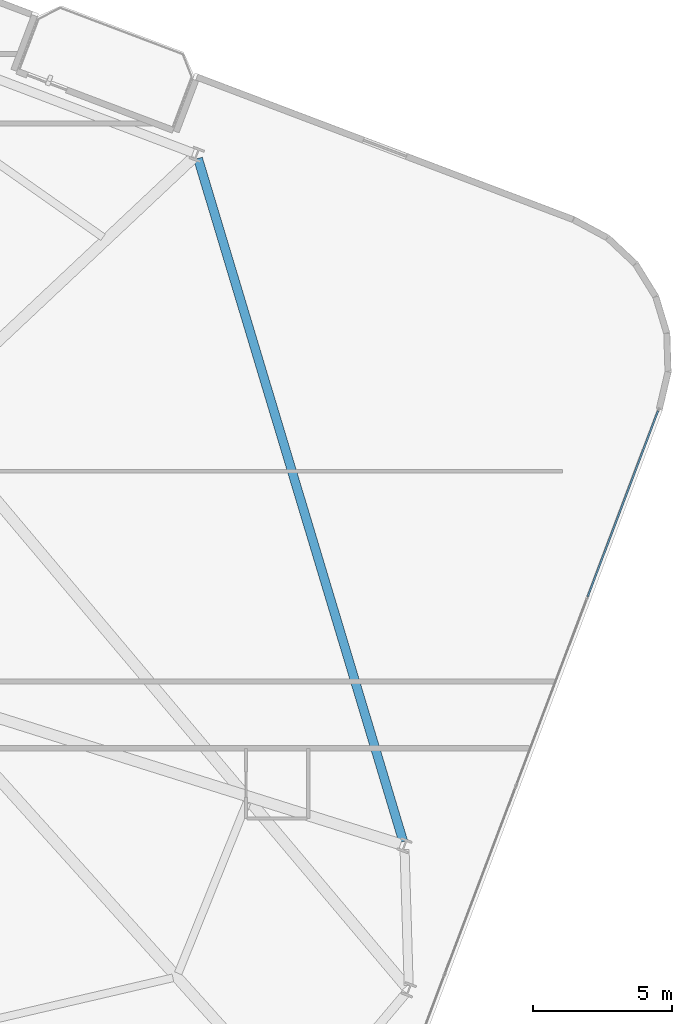
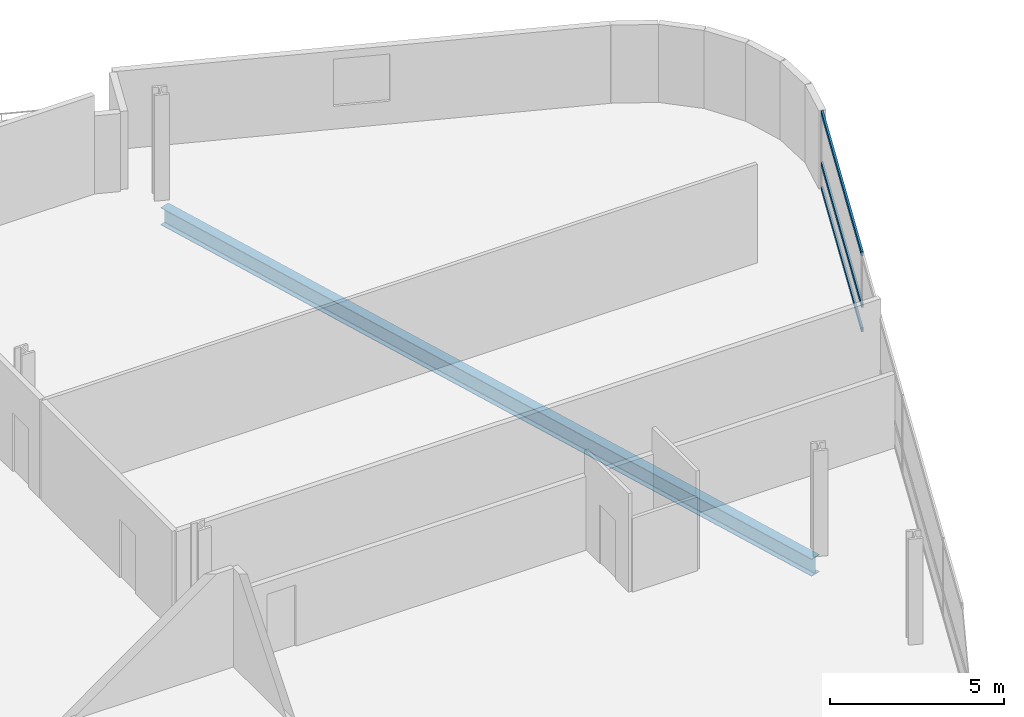
# One storey, part 14 of 24: 3 members, 1 beam, 1 element without a shape of its own.
"""IFC4 building model written with IfcOpenShell, lengths in metres."""

import ifcopenshell
import ifcopenshell.guid

model = None  # the IFC model being written
_history = None  # IfcOwnerHistory: only IFC2X3 demands one
_inside = {}  # id of a spatial element -> (the spatial element, [elements in it])
_under = {}  # id of a project, library or spatial element -> (it, [spatial elements below it])
_declared = {}  # id of a project -> (the project, [libraries it declares])
_typed = {}  # id of a type object -> (the type object, [elements of that type])
_made_of = {}  # id of a material, layer set ... -> (it, [elements and type objects made of it])


def new_model(schema):
    """Start an empty IFC model of exactly this schema.

    Asked for "IFC4X3", IfcOpenShell would pick the latest addendum, in which some entities
    have other attributes; the version numbers below select the first issue.
    IFC2X3 requires an IfcOwnerHistory on every rooted entity: one is made here for all.
    """
    global model, _history
    if schema == "IFC4X3":
        model = ifcopenshell.file(schema_version=(4, 3, 0, 0))
    else:
        model = ifcopenshell.file(schema=schema)
    _inside.clear()
    _under.clear()
    _declared.clear()
    _typed.clear()
    _made_of.clear()
    _history = None
    if model.schema == "IFC2X3":
        org = make("IfcOrganization", Name="unknown")
        user = make(
            "IfcPersonAndOrganization",
            ThePerson=make("IfcPerson", FamilyName="unknown"),
            TheOrganization=org,
        )
        app = make(
            "IfcApplication",
            ApplicationDeveloper=org,
            Version="unknown",
            ApplicationFullName="unknown",
            ApplicationIdentifier="unknown",
        )
        _history = make(
            "IfcOwnerHistory",
            OwningUser=user,
            OwningApplication=app,
            ChangeAction="ADDED",
            CreationDate=0,
        )
    return model


def make(cls, **values):
    """One entity of the class cls with the attributes given. An attribute that is None is left unset."""
    return model.create_entity(
        cls, **{name: value for name, value in values.items() if value is not None}
    )


def rooted(cls, **values):
    """An entity with a GlobalId (a new one), such as an element, a storey or a relation."""
    return make(cls, GlobalId=ifcopenshell.guid.new(), OwnerHistory=_history, **values)


def si_unit(unit_type, name, prefix=None):
    """IfcSIUnit, for example si_unit("LENGTHUNIT", "METRE", prefix="MILLI")."""
    return make("IfcSIUnit", UnitType=unit_type, Prefix=prefix, Name=name)


def assignment(units):
    """IfcUnitAssignment: the units of a project."""
    return None if units is None else make("IfcUnitAssignment", Units=units)


def point(xyz):
    """IfcCartesianPoint."""
    return None if xyz is None else make("IfcCartesianPoint", Coordinates=xyz)


def direction(xyz):
    """IfcDirection."""
    return None if xyz is None else make("IfcDirection", DirectionRatios=xyz)


def frame(location, z_axis=None, x_axis=None):
    """IfcAxis2Placement3D, a coordinate frame: its origin and axes. An axis left out is left unset."""
    return make(
        "IfcAxis2Placement3D",
        Location=point(location),
        Axis=direction(z_axis),
        RefDirection=direction(x_axis),
    )


def frame_2d(location, x_axis=None):
    """IfcAxis2Placement2D, a coordinate frame in the plane: its origin and x axis."""
    return make(
        "IfcAxis2Placement2D", Location=point(location), RefDirection=direction(x_axis)
    )


def origin():
    """The frame at (0, 0, 0) with its axes left unset."""
    return frame((0.0, 0.0, 0.0))


def origin_2d():
    """The frame at (0, 0) in the plane with its x axis left unset."""
    return frame_2d((0.0, 0.0))


def place(relative_to, where):
    """IfcLocalPlacement: puts the frame where relative to a parent placement (None: the world)."""
    return make(
        "IfcLocalPlacement", PlacementRelTo=relative_to, RelativePlacement=where
    )


def context(
    kind, dimensions, precision=None, world=None, true_north=None, identifier=None
):
    """IfcGeometricRepresentationContext, for example the 3D "Model" context."""
    return make(
        "IfcGeometricRepresentationContext",
        ContextIdentifier=identifier,
        ContextType=kind,
        CoordinateSpaceDimension=dimensions,
        Precision=precision,
        WorldCoordinateSystem=world,
        TrueNorth=true_north,
    )


def subcontext(parent, identifier, kind, view, scale=None):
    """IfcGeometricRepresentationSubContext, for example "Body" below "Model"."""
    return make(
        "IfcGeometricRepresentationSubContext",
        ContextIdentifier=identifier,
        ContextType=kind,
        ParentContext=parent,
        TargetScale=scale,
        TargetView=view,
    )


def project(units=None, contexts=None):
    """IfcProject with its units and contexts."""
    return rooted(
        "IfcProject",
        Name="project",
        RepresentationContexts=contexts,
        UnitsInContext=assignment(units),
    )


def spatial(cls, under=None, at=None, **own):
    """A site, building, storey or space (cls), placed at a placement, below another one or the project."""
    s = rooted(cls, ObjectPlacement=at, **own)
    if under is not None:
        _under.setdefault(under.id(), (under, []))[1].append(s)
    return s


def profile(cls, at=None, kind="AREA", **sizes):
    """A parametric profile (cls). Its sizes go by their IFC names, for example OverallWidth=200.0."""
    return make(cls, ProfileType=kind, Position=at, **sizes)


def hollow_rectangle(**sizes):
    """IfcRectangleHollowProfileDef."""
    return profile("IfcRectangleHollowProfileDef", **sizes)


def i_section(**sizes):
    """IfcIShapeProfileDef."""
    return profile("IfcIShapeProfileDef", **sizes)


def extrude(swept, where, along, depth):
    """IfcExtrudedAreaSolid: the profile swept, set in the frame where, extruded along a direction by depth."""
    return make(
        "IfcExtrudedAreaSolid",
        SweptArea=swept,
        Position=where,
        ExtrudedDirection=direction(along),
        Depth=depth,
    )


def shape(context_of_items, identifier, shape_type, items):
    """IfcShapeRepresentation: the items that make up one representation, for example the "Body"."""
    return make(
        "IfcShapeRepresentation",
        ContextOfItems=context_of_items,
        RepresentationIdentifier=identifier,
        RepresentationType=shape_type,
        Items=items,
    )


def material(Name=None, Category=None):
    """IfcMaterial."""
    return make("IfcMaterial", Name=Name, Category=Category)


def layer(
    of_material, thickness, ventilated=None, Name=None, Category=None, Priority=None
):
    """IfcMaterialLayer: one layer of a wall or slab, of a material (None: an air gap)."""
    return make(
        "IfcMaterialLayer",
        Material=of_material,
        LayerThickness=thickness,
        IsVentilated=ventilated,
        Name=Name,
        Category=Category,
        Priority=Priority,
    )


def layer_set(layers, Name=None):
    """IfcMaterialLayerSet."""
    return make("IfcMaterialLayerSet", MaterialLayers=layers, LayerSetName=Name)


def material_profile(
    of_material, cross_section, Name=None, Category=None, Priority=None
):
    """IfcMaterialProfile: a cross section and its material."""
    return make(
        "IfcMaterialProfile",
        Name=Name,
        Material=of_material,
        Profile=cross_section,
        Priority=Priority,
        Category=Category,
    )


def profile_set(profiles, Name=None, composite=None):
    """IfcMaterialProfileSet."""
    return make(
        "IfcMaterialProfileSet",
        Name=Name,
        MaterialProfiles=profiles,
        CompositeProfile=composite,
    )


def made_of(thing, what):
    """Note that an element or type object is made of a material, layer set ...; save() writes the relation."""
    if what is not None:
        _made_of.setdefault(what.id(), (what, []))[1].append(thing)
    return thing


def type_object(cls, material=None, **own):
    """A type object (cls), such as IfcWallType, which elements share."""
    return made_of(rooted(cls, **own), material)


def element(
    cls,
    number,
    at=None,
    inside=None,
    cuts=None,
    type_object=None,
    material=None,
    context=None,
    identifier="Body",
    shape_type=None,
    held_by="IfcProductDefinitionShape",
    body=None,
    shapes=None,
    **own,
):
    """One element of the class cls, such as IfcWall. Its Tag is "e" and its number.

    at: its placement. inside: the storey or other place that contains it. cuts: it is an
    opening in that element (IfcRelVoidsElement). A single representation is given by context,
    identifier, shape_type and body (its items); several are given by shapes. held_by: the class
    of the entity that holds the representations. save() writes the other relations.
    """
    e = rooted(cls, Tag="e%d" % number, ObjectPlacement=at, **own)
    if body is not None:
        shapes = [shape(context, identifier, shape_type, body)]
    if shapes is not None:
        e.Representation = make(held_by, Representations=shapes)
    if inside is not None:
        _inside.setdefault(inside.id(), (inside, []))[1].append(e)
    if cuts is not None:
        rooted(
            "IfcRelVoidsElement", RelatingBuildingElement=cuts, RelatedOpeningElement=e
        )
    if type_object is not None:
        _typed.setdefault(type_object.id(), (type_object, []))[1].append(e)
    return made_of(e, material)


def aggregate(whole, parts):
    """IfcRelAggregates: a whole, such as a stair, and the parts it consists of."""
    return rooted("IfcRelAggregates", RelatingObject=whole, RelatedObjects=parts)


def save(model, path):
    """Write the relations noted so far, then the file.

    IfcRelAggregates (storeys below a building ...), IfcRelContainedInSpatialStructure (elements
    in a storey), IfcRelDefinesByType, IfcRelAssociatesMaterial and IfcRelDeclares: one each for
    every whole, place, type object, material and project.
    """
    for whole, parts in _under.values():
        aggregate(whole, parts)
    for where, things in _inside.values():
        rooted(
            "IfcRelContainedInSpatialStructure",
            RelatedElements=things,
            RelatingStructure=where,
        )
    for kind, things in _typed.values():
        rooted("IfcRelDefinesByType", RelatedObjects=things, RelatingType=kind)
    for what, things in _made_of.values():
        rooted("IfcRelAssociatesMaterial", RelatedObjects=things, RelatingMaterial=what)
    for by, libraries in _declared.values():
        rooted("IfcRelDeclares", RelatingContext=by, RelatedDefinitions=libraries)
    model.write(path)


model = new_model("IFC4")

# Units and contexts
model_context = context("Model", 3, precision=1e-05, world=origin(), true_north=direction((0.0, 1.0)))
body_context = subcontext(model_context, "Body", "Model", "MODEL_VIEW")
ifc_project = project(units=[si_unit("LENGTHUNIT", "METRE"), si_unit("AREAUNIT", "SQUARE_METRE"), si_unit("VOLUMEUNIT", "CUBIC_METRE"), si_unit("PLANEANGLEUNIT", "RADIAN"), si_unit("MASSUNIT", "GRAM", prefix="KILO")], contexts=[model_context])

# Site, building, storey
site_placement = place(None, origin())
site = spatial("IfcSite", under=ifc_project, at=site_placement, CompositionType="ELEMENT")
building_placement = place(site_placement, origin())
building = spatial("IfcBuilding", under=site, at=building_placement, Name="Varnelok Gate Tower", CompositionType="ELEMENT")
storey_placement = place(building_placement, frame((0.0, 0.0, 102.10009765625)))
storey = spatial("IfcBuildingStorey", under=building, at=storey_placement, Name="L25", CompositionType="ELEMENT", Elevation=102.10009765625)

# Beam
ifc_material_1 = material(Name="Structural Steel ASTM A992 Grade 50", Category="steel")
ifc_material_profile_1 = material_profile(ifc_material_1, i_section(OverallWidth=0.323974609375, OverallDepth=0.611083984375, WebThickness=0.0126953125, FlangeThickness=0.01904296875, FilletRadius=0.01806640625, at=origin_2d()), Name="W24X104")
ifc_profile_set_1 = profile_set([ifc_material_profile_1], Name="Structural Steel ASTM A992 Grade 50")
beam_type = type_object("IfcBeamType", Name="BM-SPN-W24X104", PredefinedType="SPANDREL", material=ifc_profile_set_1)
beam_placement = place(storey_placement, frame((71.27587890625, 13.497802734375, -0.5556640625), z_axis=(-0.287745549664, 0.957706896001, 0.0), x_axis=(-0.957706896001, -0.287745549664, 0.0)))
element("IfcBeam", 1, at=beam_placement, inside=storey, type_object=beam_type, Name="L25 Perimeter Spandrel Beam 8", PredefinedType="SPANDREL", context=body_context, shape_type="SweptSolid", body=[
    extrude(i_section(OverallWidth=0.323974609375, OverallDepth=0.611083984375, WebThickness=0.0126953125, FlangeThickness=0.01904296875, FilletRadius=0.01806640625, at=origin_2d()), origin(), (0.0, 0.0, 1.0), 25.6259765625),
])

# Curtain wall, members
ifc_material_2 = material(Name="Anodized Aluminum Alloy 6063-T6", Category="aluminium")
ifc_layer = layer(ifc_material_2, 0.179931640625)
ifc_layer_set = layer_set([ifc_layer], Name="Anodized Aluminum Alloy 6063-T6")
curtain_wall_type = type_object("IfcCurtainWallType", Name="CW3-HOTEL-VISION", PredefinedType="USERDEFINED", material=ifc_layer_set)
curtain_wall_placement = place(storey_placement, origin())
curtain_wall = element("IfcCurtainWall", 2, at=curtain_wall_placement, inside=storey, type_object=curtain_wall_type, Name="L25 East End Vision Curtain Wall", ObjectType="UNITISED CURTAIN WALL", PredefinedType="USERDEFINED")
ifc_material_profile_2 = material_profile(ifc_material_2, hollow_rectangle(XDim=0.06494140625, YDim=0.159912109375, WallThickness=0.00390625, at=origin_2d()), Name="ALU160X65X4")
ifc_profile_set_2 = profile_set([ifc_material_profile_2], Name="Anodized Aluminum Alloy 6063-T6")
member_type = type_object("IfcMemberType", Name="CW-TRAN-160", PredefinedType="USERDEFINED", material=ifc_profile_set_2)
member_1_placement = place(storey_placement, frame((80.431884765625, 28.974365234375, 0.032470703125), z_axis=(-0.35404725046, -0.935227536187, 0.0), x_axis=(0.935227536187, -0.35404725046, 0.0)))
member_1 = element("IfcMember", 3, at=member_1_placement, type_object=member_type, Name="CW3 transom 1.1", ObjectType="TRANSOM", PredefinedType="USERDEFINED", context=body_context, shape_type="SweptSolid", body=[
    extrude(hollow_rectangle(XDim=0.06494140625, YDim=0.159912109375, WallThickness=0.00390625, at=origin_2d()), origin(), (0.0, 0.0, 1.0), 7.142578125),
])
member_2_placement = place(storey_placement, frame((80.431884765625, 28.974365234375, 0.89990234375), z_axis=(-0.35404725046, -0.935227536187, 0.0), x_axis=(0.935227536187, -0.35404725046, 0.0)))
member_2 = element("IfcMember", 4, at=member_2_placement, type_object=member_type, Name="CW3 transom 1.2", ObjectType="TRANSOM", PredefinedType="USERDEFINED", context=body_context, shape_type="SweptSolid", body=[
    extrude(hollow_rectangle(XDim=0.06494140625, YDim=0.159912109375, WallThickness=0.00390625, at=origin_2d()), origin(), (0.0, 0.0, 1.0), 7.142578125),
])
member_3_placement = place(storey_placement, frame((80.431884765625, 28.974365234375, 2.697509765625), z_axis=(-0.35404725046, -0.935227536187, 0.0), x_axis=(0.935227536187, -0.35404725046, 0.0)))
member_3 = element("IfcMember", 5, at=member_3_placement, type_object=member_type, Name="CW3 transom 1.3", ObjectType="TRANSOM", PredefinedType="USERDEFINED", context=body_context, shape_type="SweptSolid", body=[
    extrude(hollow_rectangle(XDim=0.06494140625, YDim=0.159912109375, WallThickness=0.00390625, at=origin_2d()), origin(), (0.0, 0.0, 1.0), 7.142578125),
])
aggregate(curtain_wall, [member_1, member_2, member_3])

save(model, "model.ifc")
